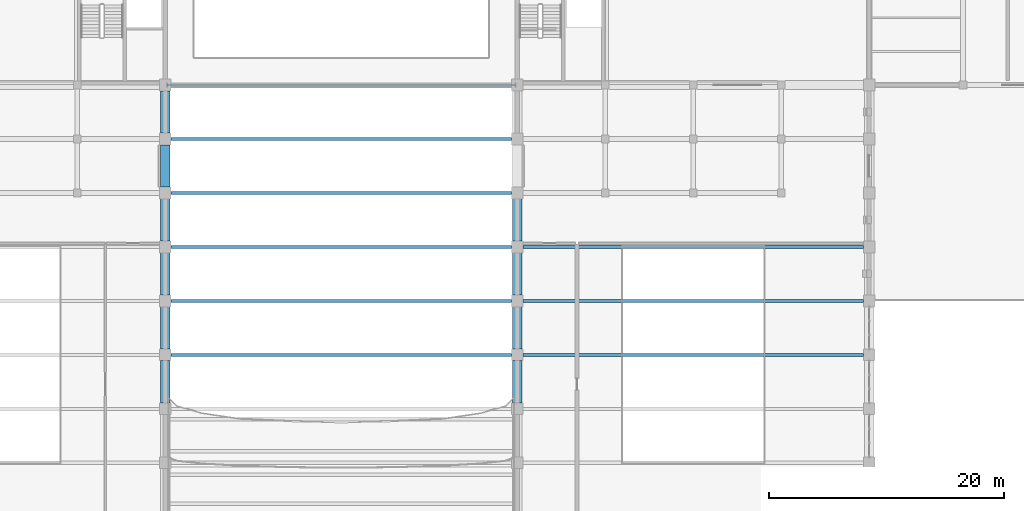
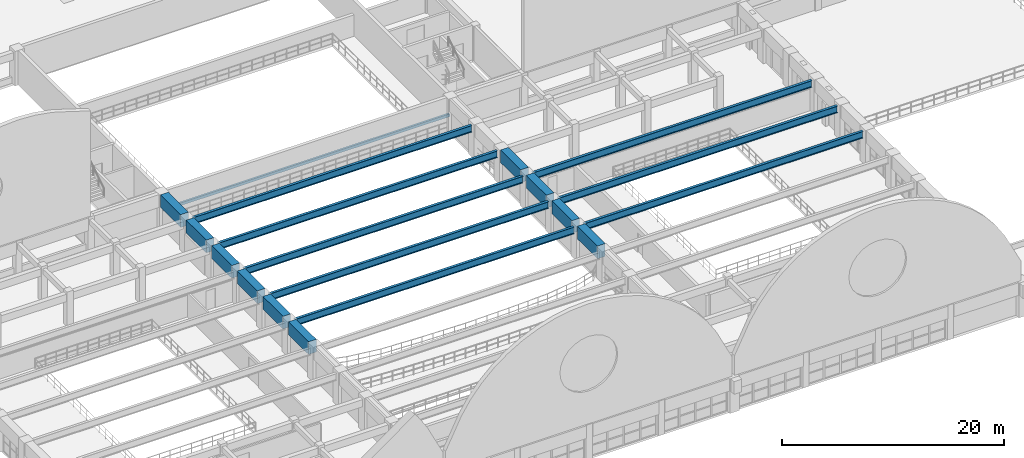
# One storey, part 29 of 74: 18 beams, 1 member.
"""IFC4 building model written with IfcOpenShell, lengths in metres."""

from ifc_helpers import new_model, si_unit, direction, frame, origin, origin_2d, place, context, subcontext, project, spatial, rectangle, hollow_rectangle, i_section, extrude, material, material_profile, profile_set, type_object, element, save


model = new_model("IFC4")

# Units and contexts
model_context = context("Model", 3, precision=1e-05, world=origin(), true_north=direction((0.0, 1.0)))
body_context = subcontext(model_context, "Body", "Model", "MODEL_VIEW")
ifc_project = project(units=[si_unit("LENGTHUNIT", "METRE"), si_unit("AREAUNIT", "SQUARE_METRE"), si_unit("VOLUMEUNIT", "CUBIC_METRE"), si_unit("PLANEANGLEUNIT", "RADIAN"), si_unit("MASSUNIT", "GRAM", prefix="KILO")], contexts=[model_context])

# Site, building, storey
site_placement = place(None, origin())
site = spatial("IfcSite", under=ifc_project, at=site_placement, CompositionType="ELEMENT")
building_placement = place(site_placement, origin())
building = spatial("IfcBuilding", under=site, at=building_placement, Name="Muzn Square Opera House", CompositionType="ELEMENT")
storey_placement = place(building_placement, frame((0.0, 0.0, 14.199951171875)))
storey = spatial("IfcBuildingStorey", under=building, at=storey_placement, Name="L03", CompositionType="ELEMENT", Elevation=14.199951171875)

# Member
ifc_material_1 = material(Name="Steel S355", Category="steel")
ifc_material_profile_1 = material_profile(ifc_material_1, hollow_rectangle(XDim=0.199951171875, YDim=0.300048828125, WallThickness=0.012451171875, at=origin_2d()), Name="RHS 300x200x12.5", Category="steel")
ifc_profile_set_1 = profile_set([ifc_material_profile_1], Name="Steel S355")
member_type = type_object("IfcMemberType", Name="Hollow Truss Chord RHS300x200", PredefinedType="CHORD", material=ifc_profile_set_1)
member_placement = place(storey_placement, frame((73.139892578125, 72.60009765625, 1.699951171875), z_axis=(1.0, 0.0, 0.0), x_axis=(0.0, 1.0, 0.0)))
element("IfcMember", 1, at=member_placement, inside=storey, type_object=member_type, Name="Proscenium Acoustic Frame Chord PRCH-01", PredefinedType="CHORD", context=body_context, shape_type="SweptSolid", body=[
    extrude(hollow_rectangle(XDim=0.199951171875, YDim=0.300048828125, WallThickness=0.012451171875, at=origin_2d()), origin(), (0.0, 0.0, 1.0), 29.72021484375),
])

# Beams
ifc_material_profile_2 = material_profile(ifc_material_1, i_section(OverallWidth=0.264892578125, OverallDepth=0.7529296875, WebThickness=0.01318359375, FlangeThickness=0.01708984375, FilletRadius=0.01708984375, at=origin_2d()), Name="IPE 750x147", Category="steel")
ifc_profile_set_2 = profile_set([ifc_material_profile_2], Name="Steel S355")
beam_type_1 = type_object("IfcBeamType", Name="Long Span Foyer Beam IPE750", PredefinedType="BEAM", material=ifc_profile_set_2)
for number, where, z_axis, x_axis, name in (
    (2, (73.491943359375, 49.60009765625, 3.1435546875), (1.0, 0.0, 0.0), (0.0, 1.0, 0.0), "Primary Girder BM-L03-BM-LF750-735_496_1025_496-2449"),
    (3, (103.491943359375, 49.60009765625, 3.1435546875), (1.0, 0.0, 0.0), (0.0, 1.0, 0.0), "Primary Girder BM-L03-BM-LF750-1035_496_1325_496-2450"),
    (4, (73.491943359375, 54.199951171875, 3.1435546875), (1.0, 0.0, 0.0), (0.0, 1.0, 0.0), "Primary Girder BM-L03-BM-LF750-735_542_1025_542-2455"),
    (5, (103.491943359375, 54.199951171875, 3.1435546875), (1.0, 0.0, 0.0), (0.0, 1.0, 0.0), "Primary Girder BM-L03-BM-LF750-1035_542_1325_542-2456"),
    (6, (73.491943359375, 58.800048828125, 3.1435546875), (1.0, 0.0, 0.0), (0.0, 1.0, 0.0), "Primary Girder BM-L03-BM-LF750-735_588_1025_588-2461"),
    (7, (103.491943359375, 58.800048828125, 3.1435546875), (1.0, 0.0, 0.0), (0.0, 1.0, 0.0), "Primary Girder BM-L03-BM-LF750-1035_588_1325_588-2462"),
    (8, (73.491943359375, 63.39990234375, 3.1435546875), (1.0, 0.0, 0.0), (0.0, 1.0, 0.0), "Primary Girder BM-L03-BM-LF750-735_634_1025_634-2469"),
    (9, (73.491943359375, 68.0, 3.1435546875), (1.0, 0.0, 0.0), (0.0, 1.0, 0.0), "Primary Girder BM-L03-BM-LF750-735_680_1025_680-2480"),
):
    element("IfcBeam", number, at=place(storey_placement, frame(where, z_axis=z_axis, x_axis=x_axis)), inside=storey, type_object=beam_type_1, Name=name, PredefinedType="BEAM", context=body_context, shape_type="SweptSolid", body=[
        extrude(i_section(OverallWidth=0.264892578125, OverallDepth=0.7529296875, WebThickness=0.01318359375, FlangeThickness=0.01708984375, FilletRadius=0.01708984375, at=origin_2d()), origin(), (0.0, 0.0, 1.0), 29.01611328125),
    ])
ifc_material_2 = material(Name="Concrete C45/55", Category="concrete")
ifc_material_profile_3 = material_profile(ifc_material_2, rectangle(XDim=0.800048828125, YDim=1.39990234375, at=origin_2d()), Name="RCB 800x1400", Category="concrete")
ifc_profile_set_3 = profile_set([ifc_material_profile_3], Name="Concrete C45/55")
beam_type_2 = type_object("IfcBeamType", Name="Vault Springing Girder 800x1400", PredefinedType="BEAM", material=ifc_profile_set_3)
for number, where, z_axis, x_axis, name in (
    (10, (73.0, 45.491943359375, 3.10009765625), (0.0, 1.0, 0.0), (-1.0, 0.0, 0.0), "Vault Springing Girder BM-L03-BM-VS1400-730_455_730_491-2578"),
    (11, (73.0, 50.092041015625, 3.10009765625), (0.0, 1.0, 0.0), (-1.0, 0.0, 0.0), "Vault Springing Girder BM-L03-BM-VS1400-730_501_730_537-2579"),
):
    element("IfcBeam", number, at=place(storey_placement, frame(where, z_axis=z_axis, x_axis=x_axis)), inside=storey, type_object=beam_type_2, Name=name, PredefinedType="BEAM", context=body_context, shape_type="SweptSolid", body=[
        extrude(rectangle(XDim=0.800048828125, YDim=1.39990234375, at=origin_2d()), origin(), (0.0, 0.0, 1.0), 3.615966796875),
    ])
beam_1_placement = place(storey_placement, frame((73.0, 54.69189453125, 3.10009765625), z_axis=(0.0, 1.0, 0.0), x_axis=(-1.0, 0.0, 0.0)))
element("IfcBeam", 12, at=beam_1_placement, inside=storey, type_object=beam_type_2, Name="Vault Springing Girder BM-L03-BM-VS1400-730_547_730_583-2580", PredefinedType="BEAM", context=body_context, shape_type="SweptSolid", body=[
    extrude(rectangle(XDim=0.800048828125, YDim=1.39990234375, at=origin_2d()), origin(), (0.0, 0.0, 1.0), 3.6162109375),
])
for number, where, z_axis, x_axis, name in (
    (13, (73.0, 59.2919921875, 3.10009765625), (0.0, 1.0, 0.0), (-1.0, 0.0, 0.0), "Vault Springing Girder BM-L03-BM-VS1400-730_593_730_629-2581"),
    (14, (73.0, 63.89208984375, 3.10009765625), (0.0, 1.0, 0.0), (-1.0, 0.0, 0.0), "Vault Springing Girder BM-L03-BM-VS1400-730_639_730_675-2582"),
    (15, (73.0, 68.491943359375, 3.10009765625), (0.0, 1.0, 0.0), (-1.0, 0.0, 0.0), "Vault Springing Girder BM-L03-BM-VS1400-730_685_730_721-2583"),
    (16, (103.0, 45.491943359375, 3.10009765625), (0.0, 1.0, 0.0), (-1.0, 0.0, 0.0), "Vault Springing Girder BM-L03-BM-VS1400-1030_455_1030_491-2589"),
    (17, (103.0, 50.092041015625, 3.10009765625), (0.0, 1.0, 0.0), (-1.0, 0.0, 0.0), "Vault Springing Girder BM-L03-BM-VS1400-1030_501_1030_537-2590"),
):
    element("IfcBeam", number, at=place(storey_placement, frame(where, z_axis=z_axis, x_axis=x_axis)), inside=storey, type_object=beam_type_2, Name=name, PredefinedType="BEAM", context=body_context, shape_type="SweptSolid", body=[
        extrude(rectangle(XDim=0.800048828125, YDim=1.39990234375, at=origin_2d()), origin(), (0.0, 0.0, 1.0), 3.615966796875),
    ])
beam_2_placement = place(storey_placement, frame((103.0, 54.69189453125, 3.10009765625), z_axis=(0.0, 1.0, 0.0), x_axis=(-1.0, 0.0, 0.0)))
element("IfcBeam", 18, at=beam_2_placement, inside=storey, type_object=beam_type_2, Name="Vault Springing Girder BM-L03-BM-VS1400-1030_547_1030_583-2591", PredefinedType="BEAM", context=body_context, shape_type="SweptSolid", body=[
    extrude(rectangle(XDim=0.800048828125, YDim=1.39990234375, at=origin_2d()), origin(), (0.0, 0.0, 1.0), 3.6162109375),
])
beam_3_placement = place(storey_placement, frame((103.0, 59.2919921875, 3.10009765625), z_axis=(0.0, 1.0, 0.0), x_axis=(-1.0, 0.0, 0.0)))
element("IfcBeam", 19, at=beam_3_placement, inside=storey, type_object=beam_type_2, Name="Vault Springing Girder BM-L03-BM-VS1400-1030_593_1030_629-2592", PredefinedType="BEAM", context=body_context, shape_type="SweptSolid", body=[
    extrude(rectangle(XDim=0.800048828125, YDim=1.39990234375, at=origin_2d()), origin(), (0.0, 0.0, 1.0), 3.615966796875),
])

save(model, "model.ifc")
